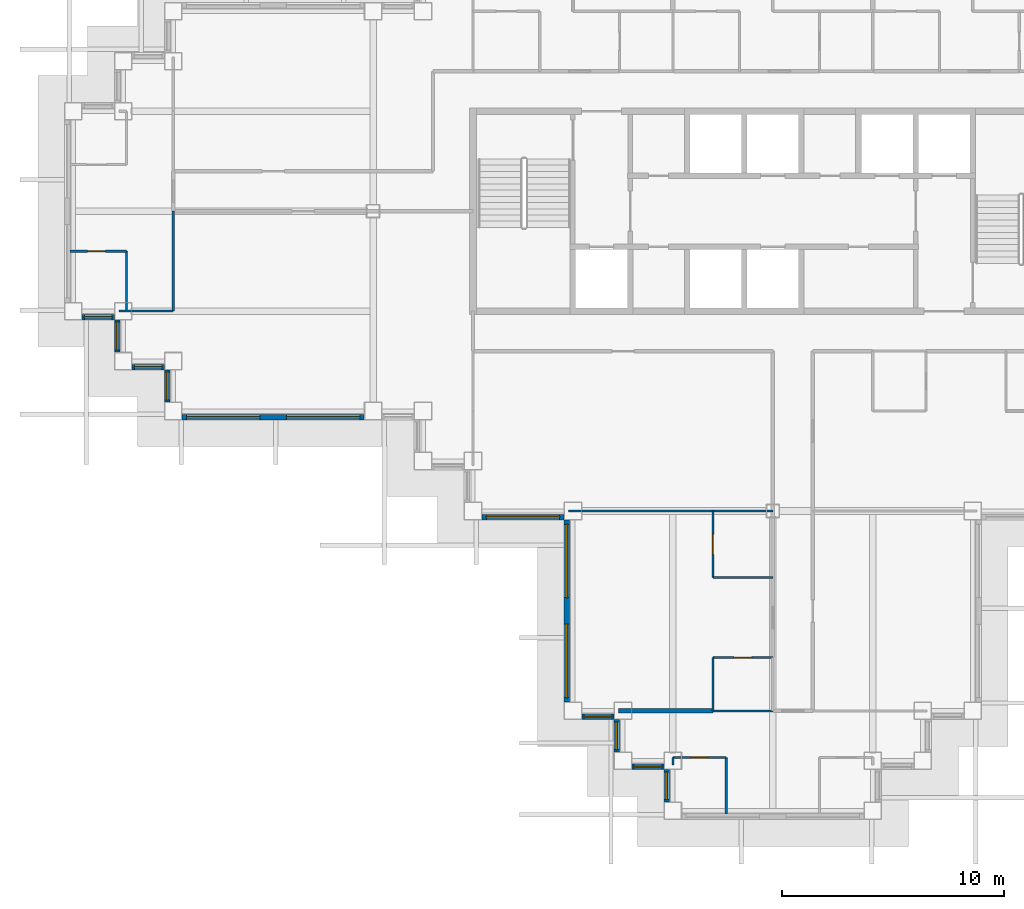
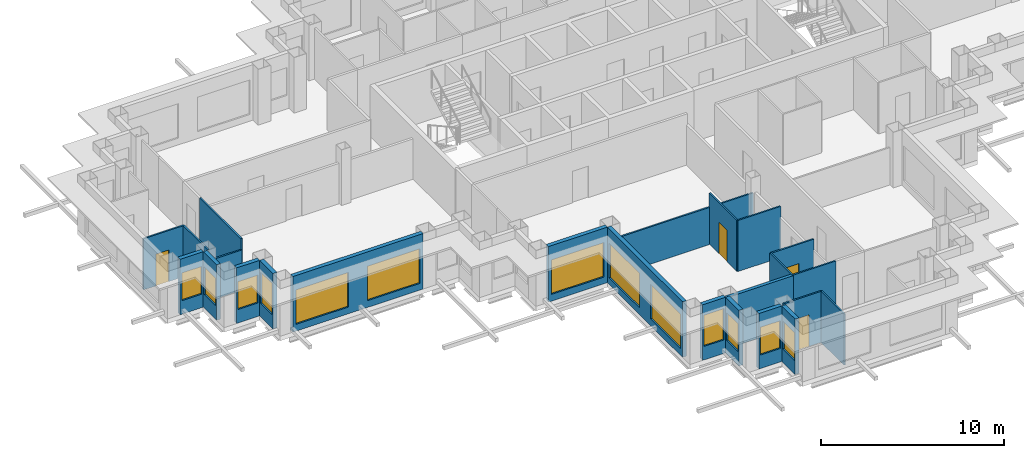
# One storey, part 3 of 14: 25 walls, 13 windows, 4 doors, 17 openings.
"""IFC4 building model written with IfcOpenShell, lengths in metres."""

from ifc_helpers import new_model, si_unit, direction, frame, frame_2d, origin, place, context, subcontext, project, spatial, rectangle, extrude, material, layer, layer_set, type_object, element, fill, save


model = new_model("IFC4")

# Units and contexts
model_context = context("Model", 3, precision=1e-05, world=origin(), true_north=direction((0.0, 1.0)))
body_context = subcontext(model_context, "Body", "Model", "MODEL_VIEW")
ifc_project = project(units=[si_unit("LENGTHUNIT", "METRE"), si_unit("AREAUNIT", "SQUARE_METRE"), si_unit("VOLUMEUNIT", "CUBIC_METRE"), si_unit("PLANEANGLEUNIT", "RADIAN"), si_unit("MASSUNIT", "GRAM", prefix="KILO")], contexts=[model_context])

# Site, building, storey
site_placement = place(None, origin())
site = spatial("IfcSite", under=ifc_project, at=site_placement, CompositionType="ELEMENT")
building_placement = place(site_placement, origin())
building = spatial("IfcBuilding", under=site, at=building_placement, Name="Caravel Reach Hotel and Residences", CompositionType="ELEMENT")
storey_placement = place(building_placement, frame((0.0, 0.0, 161.699951171875)))
storey = spatial("IfcBuildingStorey", under=building, at=storey_placement, Name="L40", CompositionType="ELEMENT", Elevation=161.699951171875)

# Wall, opening, door
ifc_material_1 = material(Name="Gypsum board on steel stud", Category="steel")
ifc_layer_1 = layer(ifc_material_1, 0.10009765625)
ifc_layer_set_1 = layer_set([ifc_layer_1], Name="Bathroom pod wall 100 mm")
wall_type_1 = type_object("IfcWallType", Name="Bathroom pod wall 100 mm", PredefinedType="PARTITIONING", material=ifc_layer_set_1)
wall_1_placement = place(storey_placement, frame((27.0, 2.39990234375, 0.0), z_axis=(0.0, 0.0, 1.0), x_axis=(1.0, 0.0, 0.0)))
wall_1 = element("IfcWall", 1, at=wall_1_placement, inside=storey, type_object=wall_type_1, Name="L40 wall w079", PredefinedType="PARTITIONING", context=body_context, shape_type="SweptSolid", body=[
    extrude(rectangle(XDim=2.39990234375, YDim=0.10009765625, at=frame_2d((1.199951171875, 0.0))), origin(), (0.0, 0.0, 1.0), 3.400146484375),
])
opening_1_placement = place(wall_1_placement, frame((0.800048828125, 0.0, 0.0)))
opening_1 = element("IfcOpeningElement", 2, at=opening_1_placement, cuts=wall_1, Name="Opening D40-047", PredefinedType="OPENING", context=body_context, shape_type="SweptSolid", body=[
    extrude(rectangle(XDim=0.800048828125, YDim=2.10009765625, at=frame_2d((0.39990234375, 1.050048828125))), frame((0.0, 0.06005859375, 0.0), z_axis=(0.0, -1.0, 0.0), x_axis=(1.0, 0.0, 0.0)), (0.0, 0.0, 1.0), 0.1201171875),
])
ifc_material_2 = material(Name="Timber and steel door leaf", Category="steel")
door_type_1 = type_object("IfcDoorType", Name="Bathroom door 800 x 2100", OperationType="SINGLE_SWING_LEFT", PredefinedType="DOOR", material=ifc_material_2)
door_1_placement = place(opening_1_placement, origin())
door_1 = element("IfcDoor", 3, at=door_1_placement, inside=storey, type_object=door_type_1, Name="door D40-047", OperationType="SINGLE_SWING_LEFT", OverallHeight=2.10009765625, OverallWidth=0.800048828125, PredefinedType="DOOR", context=body_context, shape_type="SweptSolid", body=[
    extrude(rectangle(XDim=0.800048828125, YDim=2.10009765625, at=frame_2d((0.39990234375, 1.050048828125))), frame((0.0, 0.02490234375, 0.0), z_axis=(0.0, -1.0, 0.0), x_axis=(1.0, 0.0, 0.0)), (0.0, 0.0, 1.0), 0.050048828125),
])
fill(opening_1, door_1)

wall_2_placement = place(storey_placement, frame((-0.14990234375, 25.199951171875, 0.0), z_axis=(0.0, 0.0, 1.0), x_axis=(1.0, 0.0, 0.0)))
wall_2 = element("IfcWall", 4, at=wall_2_placement, inside=storey, type_object=wall_type_1, Name="L40 wall w081", PredefinedType="PARTITIONING", context=body_context, shape_type="SweptSolid", body=[
    extrude(rectangle(XDim=2.5498046875, YDim=0.10009765625, at=frame_2d((1.27490234375, 0.0))), origin(), (0.0, 0.0, 1.0), 3.400146484375),
])
opening_2_placement = place(wall_2_placement, frame((0.800048828125, 0.0, 0.0)))
opening_2 = element("IfcOpeningElement", 5, at=opening_2_placement, cuts=wall_2, Name="Opening D40-041", PredefinedType="OPENING", context=body_context, shape_type="SweptSolid", body=[
    extrude(rectangle(XDim=0.800048828125, YDim=2.10009765625, at=frame_2d((0.39990234375, 1.050048828125))), frame((0.0, 0.06005859375, 0.0), z_axis=(0.0, -1.0, 0.0), x_axis=(1.0, 0.0, 0.0)), (0.0, 0.0, 1.0), 0.1201171875),
])
door_2_placement = place(opening_2_placement, origin())
door_2 = element("IfcDoor", 6, at=door_2_placement, inside=storey, type_object=door_type_1, Name="door D40-041", OperationType="SINGLE_SWING_RIGHT", OverallHeight=2.10009765625, OverallWidth=0.800048828125, PredefinedType="DOOR", context=body_context, shape_type="SweptSolid", body=[
    extrude(rectangle(XDim=0.800048828125, YDim=2.10009765625, at=frame_2d((0.39990234375, 1.050048828125))), frame((0.0, 0.02490234375, 0.0), z_axis=(0.0, -1.0, 0.0), x_axis=(1.0, 0.0, 0.0)), (0.0, 0.0, 1.0), 0.050048828125),
])
fill(opening_2, door_2)

# Wall
wall_3_placement = place(storey_placement, frame((28.800048828125, 4.5, 0.0), z_axis=(0.0, 0.0, 1.0), x_axis=(1.0, 0.0, 0.0)))
element("IfcWall", 7, at=wall_3_placement, inside=storey, type_object=wall_type_1, Name="L40 wall w089", PredefinedType="PARTITIONING", context=body_context, shape_type="SweptSolid", body=[
    extrude(rectangle(XDim=2.699951171875, YDim=0.10009765625, at=frame_2d((1.35009765625, 0.0))), origin(), (0.0, 0.0, 1.0), 3.400146484375),
])

# Wall, opening, door
wall_4_placement = place(storey_placement, frame((28.800048828125, 6.89990234375, 0.0), z_axis=(0.0, 0.0, 1.0), x_axis=(1.0, 0.0, 0.0)))
wall_4 = element("IfcWall", 8, at=wall_4_placement, inside=storey, type_object=wall_type_1, Name="L40 wall w090", PredefinedType="PARTITIONING", context=body_context, shape_type="SweptSolid", body=[
    extrude(rectangle(XDim=2.699951171875, YDim=0.10009765625, at=frame_2d((1.35009765625, 0.0))), origin(), (0.0, 0.0, 1.0), 3.400146484375),
])
opening_3_placement = place(wall_4_placement, frame((0.949951171875, 0.0, 0.0)))
opening_3 = element("IfcOpeningElement", 9, at=opening_3_placement, cuts=wall_4, Name="Opening D40-037", PredefinedType="OPENING", context=body_context, shape_type="SweptSolid", body=[
    extrude(rectangle(XDim=0.800048828125, YDim=2.10009765625, at=frame_2d((0.39990234375, 1.050048828125))), frame((0.0, 0.06005859375, 0.0), z_axis=(0.0, -1.0, 0.0), x_axis=(1.0, 0.0, 0.0)), (0.0, 0.0, 1.0), 0.1201171875),
])
door_3_placement = place(opening_3_placement, origin())
door_3 = element("IfcDoor", 10, at=door_3_placement, inside=storey, type_object=door_type_1, Name="door D40-037", OperationType="SINGLE_SWING_LEFT", OverallHeight=2.10009765625, OverallWidth=0.800048828125, PredefinedType="DOOR", context=body_context, shape_type="SweptSolid", body=[
    extrude(rectangle(XDim=0.800048828125, YDim=2.10009765625, at=frame_2d((0.39990234375, 1.050048828125))), frame((0.0, 0.02490234375, 0.0), z_axis=(0.0, -1.0, 0.0), x_axis=(1.0, 0.0, 0.0)), (0.0, 0.0, 1.0), 0.050048828125),
])
fill(opening_3, door_3)

# Walls
wall_5_placement = place(storey_placement, frame((2.39990234375, 22.5, 0.0), z_axis=(0.0, 0.0, 1.0), x_axis=(0.0, 1.0, 0.0)))
element("IfcWall", 11, at=wall_5_placement, inside=storey, type_object=wall_type_1, Name="L40 wall w091", PredefinedType="PARTITIONING", context=body_context, shape_type="SweptSolid", body=[
    extrude(rectangle(XDim=2.699951171875, YDim=0.10009765625, at=frame_2d((1.35009765625, 0.0))), origin(), (0.0, 0.0, 1.0), 3.400146484375),
])
wall_6_placement = place(storey_placement, frame((27.0, 2.06005859375, 0.0), z_axis=(0.0, 0.0, 1.0), x_axis=(0.0, 1.0, 0.0)))
element("IfcWall", 12, at=wall_6_placement, inside=storey, type_object=wall_type_1, Name="L40 wall w094", PredefinedType="PARTITIONING", context=body_context, shape_type="SweptSolid", body=[
    extrude(rectangle(XDim=0.33984375, YDim=0.10009765625, at=frame_2d((0.169921875, 0.0))), origin(), (0.0, 0.0, 1.0), 3.400146484375),
])
wall_7_placement = place(storey_placement, frame((28.800048828125, 4.5, 0.0), z_axis=(0.0, 0.0, 1.0), x_axis=(0.0, 1.0, 0.0)))
element("IfcWall", 13, at=wall_7_placement, inside=storey, type_object=wall_type_1, Name="L40 wall w095", PredefinedType="PARTITIONING", context=body_context, shape_type="SweptSolid", body=[
    extrude(rectangle(XDim=2.39990234375, YDim=0.10009765625, at=frame_2d((1.199951171875, 0.0))), origin(), (0.0, 0.0, 1.0), 3.400146484375),
])
wall_8_placement = place(storey_placement, frame((29.39990234375, -0.14990234375, 0.0), z_axis=(0.0, 0.0, 1.0), x_axis=(0.0, 1.0, 0.0)))
element("IfcWall", 14, at=wall_8_placement, inside=storey, type_object=wall_type_1, Name="L40 wall w096", PredefinedType="PARTITIONING", context=body_context, shape_type="SweptSolid", body=[
    extrude(rectangle(XDim=2.5498046875, YDim=0.10009765625, at=frame_2d((1.27490234375, 0.0))), origin(), (0.0, 0.0, 1.0), 3.400146484375),
])

# Wall, opening, window
ifc_material_3 = material(Name="Insulated rainscreen wall, aluminium cladding", Category="aluminium")
ifc_layer_2 = layer(ifc_material_3, 0.25)
ifc_layer_set_2 = layer_set([ifc_layer_2], Name="EW1 Tower rainscreen wall")
wall_type_2 = type_object("IfcWallType", Name="EW1 Tower rainscreen wall", PredefinedType="SOLIDWALL", material=ifc_layer_set_2)
wall_9_placement = place(storey_placement, frame((22.89990234375, 4.22509765625, 0.0), z_axis=(0.0, 0.0, 1.0), x_axis=(1.0, 0.0, 0.0)))
wall_9 = element("IfcWall", 15, at=wall_9_placement, inside=storey, type_object=wall_type_2, Name="External wall L40 S1.1", PredefinedType="SOLIDWALL", context=body_context, shape_type="SweptSolid", body=[
    extrude(rectangle(XDim=1.4501953125, YDim=0.25, at=frame_2d((0.72509765625, 0.0))), origin(), (0.0, 0.0, 1.0), 3.699951171875),
])
opening_4_placement = place(wall_9_placement, frame((0.10009765625, 0.0, 0.89990234375)))
opening_4 = element("IfcOpeningElement", 16, at=opening_4_placement, cuts=wall_9, Name="Opening WN12", PredefinedType="OPENING", context=body_context, shape_type="SweptSolid", body=[
    extrude(rectangle(XDim=1.25, YDim=2.080078125, at=frame_2d((0.625, 1.0400390625))), frame((0.0, 0.135009765625, 0.0), z_axis=(0.0, -1.0, 0.0), x_axis=(1.0, 0.0, 0.0)), (0.0, 0.0, 1.0), 0.27001953125),
])
ifc_material_4 = material(Name="Dark low-e glazing in black aluminium frame", Category="aluminium")
window_type_1 = type_object("IfcWindowType", Name="Residence bedroom window 1250 x 2080", PartitioningType="SINGLE_PANEL", PredefinedType="WINDOW", material=ifc_material_4)
window_1_placement = place(opening_4_placement, origin())
window_1 = element("IfcWindow", 17, at=window_1_placement, inside=storey, type_object=window_type_1, Name="Window L40 S1.1.1", OverallHeight=2.080078125, OverallWidth=1.25, PartitioningType="SINGLE_PANEL", PredefinedType="WINDOW", context=body_context, shape_type="SweptSolid", body=[
    extrude(rectangle(XDim=1.25, YDim=2.080078125, at=frame_2d((0.625, 1.0400390625))), frame((0.0, 0.030029296875, 0.0), z_axis=(0.0, -1.0, 0.0), x_axis=(1.0, 0.0, 0.0)), (0.0, 0.0, 1.0), 0.06005859375),
])
fill(opening_4, window_1)

wall_10_placement = place(storey_placement, frame((24.47509765625, 4.10009765625, 0.0), z_axis=(0.0, 0.0, 1.0), x_axis=(0.0, -1.0, 0.0)))
wall_10 = element("IfcWall", 18, at=wall_10_placement, inside=storey, type_object=wall_type_2, Name="External wall L40 W2.1", PredefinedType="SOLIDWALL", context=body_context, shape_type="SweptSolid", body=[
    extrude(rectangle(XDim=1.4501953125, YDim=0.25, at=frame_2d((0.72509765625, 0.0))), origin(), (0.0, 0.0, 1.0), 3.699951171875),
])
opening_5_placement = place(wall_10_placement, frame((0.10009765625, 0.0, 0.89990234375)))
opening_5 = element("IfcOpeningElement", 19, at=opening_5_placement, cuts=wall_10, Name="Opening WN13", PredefinedType="OPENING", context=body_context, shape_type="SweptSolid", body=[
    extrude(rectangle(XDim=1.25, YDim=1.85009765625, at=frame_2d((0.625, 0.925048828125))), frame((0.0, 0.135009765625, 0.0), z_axis=(0.0, -1.0, 0.0), x_axis=(1.0, 0.0, 0.0)), (0.0, 0.0, 1.0), 0.27001953125),
])
ifc_material_5 = material(Name="Dark low-e glazing in black aluminium frame", Category="aluminium")
window_type_2 = type_object("IfcWindowType", Name="Residence bedroom window 1250 x 1850", PartitioningType="SINGLE_PANEL", PredefinedType="WINDOW", material=ifc_material_5)
window_2_placement = place(opening_5_placement, origin())
window_2 = element("IfcWindow", 20, at=window_2_placement, inside=storey, type_object=window_type_2, Name="Window L40 W2.1.1", OverallHeight=1.85009765625, OverallWidth=1.25, PartitioningType="SINGLE_PANEL", PredefinedType="WINDOW", context=body_context, shape_type="SweptSolid", body=[
    extrude(rectangle(XDim=1.25, YDim=1.85009765625, at=frame_2d((0.625, 0.925048828125))), frame((0.0, 0.030029296875, 0.0), z_axis=(0.0, -1.0, 0.0), x_axis=(1.0, 0.0, 0.0)), (0.0, 0.0, 1.0), 0.06005859375),
])
fill(opening_5, window_2)

wall_11_placement = place(storey_placement, frame((25.14990234375, 1.97509765625, 0.0), z_axis=(0.0, 0.0, 1.0), x_axis=(1.0, 0.0, 0.0)))
wall_11 = element("IfcWall", 21, at=wall_11_placement, inside=storey, type_object=wall_type_2, Name="External wall L40 S3.1", PredefinedType="SOLIDWALL", context=body_context, shape_type="SweptSolid", body=[
    extrude(rectangle(XDim=1.4501953125, YDim=0.25, at=frame_2d((0.72509765625, 0.0))), origin(), (0.0, 0.0, 1.0), 3.699951171875),
])
opening_6_placement = place(wall_11_placement, frame((0.10009765625, 0.0, 0.89990234375)))
opening_6 = element("IfcOpeningElement", 22, at=opening_6_placement, cuts=wall_11, Name="Opening WN13", PredefinedType="OPENING", context=body_context, shape_type="SweptSolid", body=[
    extrude(rectangle(XDim=1.25, YDim=1.85009765625, at=frame_2d((0.625, 0.925048828125))), frame((0.0, 0.135009765625, 0.0), z_axis=(0.0, -1.0, 0.0), x_axis=(1.0, 0.0, 0.0)), (0.0, 0.0, 1.0), 0.27001953125),
])
window_3_placement = place(opening_6_placement, origin())
window_3 = element("IfcWindow", 23, at=window_3_placement, inside=storey, type_object=window_type_2, Name="Window L40 S3.1.1", OverallHeight=1.85009765625, OverallWidth=1.25, PartitioningType="SINGLE_PANEL", PredefinedType="WINDOW", context=body_context, shape_type="SweptSolid", body=[
    extrude(rectangle(XDim=1.25, YDim=1.85009765625, at=frame_2d((0.625, 0.925048828125))), frame((0.0, 0.030029296875, 0.0), z_axis=(0.0, -1.0, 0.0), x_axis=(1.0, 0.0, 0.0)), (0.0, 0.0, 1.0), 0.06005859375),
])
fill(opening_6, window_3)

wall_12_placement = place(storey_placement, frame((26.72509765625, 1.85009765625, 0.0), z_axis=(0.0, 0.0, 1.0), x_axis=(0.0, -1.0, 0.0)))
wall_12 = element("IfcWall", 24, at=wall_12_placement, inside=storey, type_object=wall_type_2, Name="External wall L40 W4.1", PredefinedType="SOLIDWALL", context=body_context, shape_type="SweptSolid", body=[
    extrude(rectangle(XDim=1.4501953125, YDim=0.25, at=frame_2d((0.72509765625, 0.0))), origin(), (0.0, 0.0, 1.0), 3.699951171875),
])
opening_7_placement = place(wall_12_placement, frame((0.10009765625, 0.0, 0.89990234375)))
opening_7 = element("IfcOpeningElement", 25, at=opening_7_placement, cuts=wall_12, Name="Opening WN13", PredefinedType="OPENING", context=body_context, shape_type="SweptSolid", body=[
    extrude(rectangle(XDim=1.25, YDim=1.85009765625, at=frame_2d((0.625, 0.925048828125))), frame((0.0, 0.135009765625, 0.0), z_axis=(0.0, -1.0, 0.0), x_axis=(1.0, 0.0, 0.0)), (0.0, 0.0, 1.0), 0.27001953125),
])
window_4_placement = place(opening_7_placement, origin())
window_4 = element("IfcWindow", 26, at=window_4_placement, inside=storey, type_object=window_type_2, Name="Window L40 W4.1.1", OverallHeight=1.85009765625, OverallWidth=1.25, PartitioningType="SINGLE_PANEL", PredefinedType="WINDOW", context=body_context, shape_type="SweptSolid", body=[
    extrude(rectangle(XDim=1.25, YDim=1.85009765625, at=frame_2d((0.625, 0.925048828125))), frame((0.0, 0.030029296875, 0.0), z_axis=(0.0, -1.0, 0.0), x_axis=(1.0, 0.0, 0.0)), (0.0, 0.0, 1.0), 0.06005859375),
])
fill(opening_7, window_4)

wall_13_placement = place(storey_placement, frame((0.39990234375, 22.22509765625, 0.0), z_axis=(0.0, 0.0, 1.0), x_axis=(1.0, 0.0, 0.0)))
wall_13 = element("IfcWall", 27, at=wall_13_placement, inside=storey, type_object=wall_type_2, Name="External wall L40 S39.1", PredefinedType="SOLIDWALL", context=body_context, shape_type="SweptSolid", body=[
    extrude(rectangle(XDim=1.4501953125, YDim=0.25, at=frame_2d((0.72509765625, 0.0))), origin(), (0.0, 0.0, 1.0), 3.699951171875),
])
opening_8_placement = place(wall_13_placement, frame((0.10009765625, 0.0, 0.89990234375)))
opening_8 = element("IfcOpeningElement", 28, at=opening_8_placement, cuts=wall_13, Name="Opening WN13", PredefinedType="OPENING", context=body_context, shape_type="SweptSolid", body=[
    extrude(rectangle(XDim=1.25, YDim=1.85009765625, at=frame_2d((0.625, 0.925048828125))), frame((0.0, 0.135009765625, 0.0), z_axis=(0.0, -1.0, 0.0), x_axis=(1.0, 0.0, 0.0)), (0.0, 0.0, 1.0), 0.27001953125),
])
window_5_placement = place(opening_8_placement, origin())
window_5 = element("IfcWindow", 29, at=window_5_placement, inside=storey, type_object=window_type_2, Name="Window L40 S39.1.1", OverallHeight=1.85009765625, OverallWidth=1.25, PartitioningType="SINGLE_PANEL", PredefinedType="WINDOW", context=body_context, shape_type="SweptSolid", body=[
    extrude(rectangle(XDim=1.25, YDim=1.85009765625, at=frame_2d((0.625, 0.925048828125))), frame((0.0, 0.030029296875, 0.0), z_axis=(0.0, -1.0, 0.0), x_axis=(1.0, 0.0, 0.0)), (0.0, 0.0, 1.0), 0.06005859375),
])
fill(opening_8, window_5)

wall_14_placement = place(storey_placement, frame((1.97509765625, 22.10009765625, 0.0), z_axis=(0.0, 0.0, 1.0), x_axis=(0.0, -1.0, 0.0)))
wall_14 = element("IfcWall", 30, at=wall_14_placement, inside=storey, type_object=wall_type_2, Name="External wall L40 W40.1", PredefinedType="SOLIDWALL", context=body_context, shape_type="SweptSolid", body=[
    extrude(rectangle(XDim=1.4501953125, YDim=0.25, at=frame_2d((0.72509765625, 0.0))), origin(), (0.0, 0.0, 1.0), 3.699951171875),
])
opening_9_placement = place(wall_14_placement, frame((0.10009765625, 0.0, 0.89990234375)))
opening_9 = element("IfcOpeningElement", 31, at=opening_9_placement, cuts=wall_14, Name="Opening WN13", PredefinedType="OPENING", context=body_context, shape_type="SweptSolid", body=[
    extrude(rectangle(XDim=1.25, YDim=1.85009765625, at=frame_2d((0.625, 0.925048828125))), frame((0.0, 0.135009765625, 0.0), z_axis=(0.0, -1.0, 0.0), x_axis=(1.0, 0.0, 0.0)), (0.0, 0.0, 1.0), 0.27001953125),
])
window_6_placement = place(opening_9_placement, origin())
window_6 = element("IfcWindow", 32, at=window_6_placement, inside=storey, type_object=window_type_2, Name="Window L40 W40.1.1", OverallHeight=1.85009765625, OverallWidth=1.25, PartitioningType="SINGLE_PANEL", PredefinedType="WINDOW", context=body_context, shape_type="SweptSolid", body=[
    extrude(rectangle(XDim=1.25, YDim=1.85009765625, at=frame_2d((0.625, 0.925048828125))), frame((0.0, 0.030029296875, 0.0), z_axis=(0.0, -1.0, 0.0), x_axis=(1.0, 0.0, 0.0)), (0.0, 0.0, 1.0), 0.06005859375),
])
fill(opening_9, window_6)

wall_15_placement = place(storey_placement, frame((2.64990234375, 19.97509765625, 0.0), z_axis=(0.0, 0.0, 1.0), x_axis=(1.0, 0.0, 0.0)))
wall_15 = element("IfcWall", 33, at=wall_15_placement, inside=storey, type_object=wall_type_2, Name="External wall L40 S41.1", PredefinedType="SOLIDWALL", context=body_context, shape_type="SweptSolid", body=[
    extrude(rectangle(XDim=1.4501953125, YDim=0.25, at=frame_2d((0.72509765625, 0.0))), origin(), (0.0, 0.0, 1.0), 3.699951171875),
])
opening_10_placement = place(wall_15_placement, frame((0.10009765625, 0.0, 0.89990234375)))
opening_10 = element("IfcOpeningElement", 34, at=opening_10_placement, cuts=wall_15, Name="Opening WN13", PredefinedType="OPENING", context=body_context, shape_type="SweptSolid", body=[
    extrude(rectangle(XDim=1.25, YDim=1.85009765625, at=frame_2d((0.625, 0.925048828125))), frame((0.0, 0.135009765625, 0.0), z_axis=(0.0, -1.0, 0.0), x_axis=(1.0, 0.0, 0.0)), (0.0, 0.0, 1.0), 0.27001953125),
])
window_7_placement = place(opening_10_placement, origin())
window_7 = element("IfcWindow", 35, at=window_7_placement, inside=storey, type_object=window_type_2, Name="Window L40 S41.1.1", OverallHeight=1.85009765625, OverallWidth=1.25, PartitioningType="SINGLE_PANEL", PredefinedType="WINDOW", context=body_context, shape_type="SweptSolid", body=[
    extrude(rectangle(XDim=1.25, YDim=1.85009765625, at=frame_2d((0.625, 0.925048828125))), frame((0.0, 0.030029296875, 0.0), z_axis=(0.0, -1.0, 0.0), x_axis=(1.0, 0.0, 0.0)), (0.0, 0.0, 1.0), 0.06005859375),
])
fill(opening_10, window_7)

wall_16_placement = place(storey_placement, frame((4.22509765625, 19.85009765625, 0.0), z_axis=(0.0, 0.0, 1.0), x_axis=(0.0, -1.0, 0.0)))
wall_16 = element("IfcWall", 36, at=wall_16_placement, inside=storey, type_object=wall_type_2, Name="External wall L40 W42.1", PredefinedType="SOLIDWALL", context=body_context, shape_type="SweptSolid", body=[
    extrude(rectangle(XDim=1.4501953125, YDim=0.25, at=frame_2d((0.72509765625, 0.0))), origin(), (0.0, 0.0, 1.0), 3.699951171875),
])
opening_11_placement = place(wall_16_placement, frame((0.10009765625, 0.0, 0.89990234375)))
opening_11 = element("IfcOpeningElement", 37, at=opening_11_placement, cuts=wall_16, Name="Opening WN12", PredefinedType="OPENING", context=body_context, shape_type="SweptSolid", body=[
    extrude(rectangle(XDim=1.25, YDim=2.080078125, at=frame_2d((0.625, 1.0400390625))), frame((0.0, 0.135009765625, 0.0), z_axis=(0.0, -1.0, 0.0), x_axis=(1.0, 0.0, 0.0)), (0.0, 0.0, 1.0), 0.27001953125),
])
window_8_placement = place(opening_11_placement, origin())
window_8 = element("IfcWindow", 38, at=window_8_placement, inside=storey, type_object=window_type_1, Name="Window L40 W42.1.1", OverallHeight=2.080078125, OverallWidth=1.25, PartitioningType="SINGLE_PANEL", PredefinedType="WINDOW", context=body_context, shape_type="SweptSolid", body=[
    extrude(rectangle(XDim=1.25, YDim=2.080078125, at=frame_2d((0.625, 1.0400390625))), frame((0.0, 0.030029296875, 0.0), z_axis=(0.0, -1.0, 0.0), x_axis=(1.0, 0.0, 0.0)), (0.0, 0.0, 1.0), 0.06005859375),
])
fill(opening_11, window_8)

# Wall, openings, windows
wall_17_placement = place(storey_placement, frame((4.89990234375, 17.72509765625, 0.0), z_axis=(0.0, 0.0, 1.0), x_axis=(1.0, 0.0, 0.0)))
wall_17 = element("IfcWall", 39, at=wall_17_placement, inside=storey, type_object=wall_type_2, Name="External wall L40 S43.1", PredefinedType="SOLIDWALL", context=body_context, shape_type="SweptSolid", body=[
    extrude(rectangle(XDim=8.2001953125, YDim=0.25, at=frame_2d((4.10009765625, 0.0))), origin(), (0.0, 0.0, 1.0), 3.699951171875),
])
opening_12_placement = place(wall_17_placement, frame((0.199951171875, 0.0, 0.449951171875)))
opening_12 = element("IfcOpeningElement", 40, at=opening_12_placement, cuts=wall_17, Name="Opening WN15", PredefinedType="OPENING", context=body_context, shape_type="SweptSolid", body=[
    extrude(rectangle(XDim=3.300048828125, YDim=2.300048828125, at=frame_2d((1.64990234375, 1.14990234375))), frame((0.0, 0.135009765625, 0.0), z_axis=(0.0, -1.0, 0.0), x_axis=(1.0, 0.0, 0.0)), (0.0, 0.0, 1.0), 0.27001953125),
])
opening_13_placement = place(wall_17_placement, frame((4.699951171875, 0.0, 0.449951171875)))
opening_13 = element("IfcOpeningElement", 41, at=opening_13_placement, cuts=wall_17, Name="Opening WN15", PredefinedType="OPENING", context=body_context, shape_type="SweptSolid", body=[
    extrude(rectangle(XDim=3.300048828125, YDim=2.300048828125, at=frame_2d((1.64990234375, 1.14990234375))), frame((0.0, 0.135009765625, 0.0), z_axis=(0.0, -1.0, 0.0), x_axis=(1.0, 0.0, 0.0)), (0.0, 0.0, 1.0), 0.27001953125),
])
ifc_material_6 = material(Name="Dark low-e glazing in black aluminium frame", Category="aluminium")
window_type_3 = type_object("IfcWindowType", Name="Residence living window 3300 x 2300", PartitioningType="SINGLE_PANEL", PredefinedType="WINDOW", material=ifc_material_6)
window_9_placement = place(opening_12_placement, origin())
window_9 = element("IfcWindow", 42, at=window_9_placement, inside=storey, type_object=window_type_3, Name="Window L40 S43.1.1", OverallHeight=2.300048828125, OverallWidth=3.300048828125, PartitioningType="SINGLE_PANEL", PredefinedType="WINDOW", context=body_context, shape_type="SweptSolid", body=[
    extrude(rectangle(XDim=3.300048828125, YDim=2.300048828125, at=frame_2d((1.64990234375, 1.14990234375))), frame((0.0, 0.030029296875, 0.0), z_axis=(0.0, -1.0, 0.0), x_axis=(1.0, 0.0, 0.0)), (0.0, 0.0, 1.0), 0.06005859375),
])
fill(opening_12, window_9)
window_10_placement = place(opening_13_placement, origin())
window_10 = element("IfcWindow", 43, at=window_10_placement, inside=storey, type_object=window_type_3, Name="Window L40 S43.1.2", OverallHeight=2.300048828125, OverallWidth=3.300048828125, PartitioningType="SINGLE_PANEL", PredefinedType="WINDOW", context=body_context, shape_type="SweptSolid", body=[
    extrude(rectangle(XDim=3.300048828125, YDim=2.300048828125, at=frame_2d((1.64990234375, 1.14990234375))), frame((0.0, 0.030029296875, 0.0), z_axis=(0.0, -1.0, 0.0), x_axis=(1.0, 0.0, 0.0)), (0.0, 0.0, 1.0), 0.06005859375),
])
fill(opening_13, window_10)

# Wall, opening, window
wall_18_placement = place(storey_placement, frame((18.39990234375, 13.22509765625, 0.0), z_axis=(0.0, 0.0, 1.0), x_axis=(1.0, 0.0, 0.0)))
wall_18 = element("IfcWall", 44, at=wall_18_placement, inside=storey, type_object=wall_type_2, Name="External wall L40 S47.1", PredefinedType="SOLIDWALL", context=body_context, shape_type="SweptSolid", body=[
    extrude(rectangle(XDim=3.7001953125, YDim=0.25, at=frame_2d((1.85009765625, 0.0))), origin(), (0.0, 0.0, 1.0), 3.699951171875),
])
opening_14_placement = place(wall_18_placement, frame((0.199951171875, 0.0, 0.449951171875)))
opening_14 = element("IfcOpeningElement", 45, at=opening_14_placement, cuts=wall_18, Name="Opening WN15", PredefinedType="OPENING", context=body_context, shape_type="SweptSolid", body=[
    extrude(rectangle(XDim=3.300048828125, YDim=2.300048828125, at=frame_2d((1.64990234375, 1.14990234375))), frame((0.0, 0.135009765625, 0.0), z_axis=(0.0, -1.0, 0.0), x_axis=(1.0, 0.0, 0.0)), (0.0, 0.0, 1.0), 0.27001953125),
])
window_11_placement = place(opening_14_placement, origin())
window_11 = element("IfcWindow", 46, at=window_11_placement, inside=storey, type_object=window_type_3, Name="Window L40 S47.1.1", OverallHeight=2.300048828125, OverallWidth=3.300048828125, PartitioningType="SINGLE_PANEL", PredefinedType="WINDOW", context=body_context, shape_type="SweptSolid", body=[
    extrude(rectangle(XDim=3.300048828125, YDim=2.300048828125, at=frame_2d((1.64990234375, 1.14990234375))), frame((0.0, 0.030029296875, 0.0), z_axis=(0.0, -1.0, 0.0), x_axis=(1.0, 0.0, 0.0)), (0.0, 0.0, 1.0), 0.06005859375),
])
fill(opening_14, window_11)

# Wall, openings, windows
wall_19_placement = place(storey_placement, frame((22.22509765625, 13.10009765625, 0.0), z_axis=(0.0, 0.0, 1.0), x_axis=(0.0, -1.0, 0.0)))
wall_19 = element("IfcWall", 47, at=wall_19_placement, inside=storey, type_object=wall_type_2, Name="External wall L40 W48.1", PredefinedType="SOLIDWALL", context=body_context, shape_type="SweptSolid", body=[
    extrude(rectangle(XDim=8.2001953125, YDim=0.25, at=frame_2d((4.10009765625, 0.0))), origin(), (0.0, 0.0, 1.0), 3.699951171875),
])
opening_15_placement = place(wall_19_placement, frame((0.199951171875, 0.0, 0.449951171875)))
opening_15 = element("IfcOpeningElement", 48, at=opening_15_placement, cuts=wall_19, Name="Opening WN15", PredefinedType="OPENING", context=body_context, shape_type="SweptSolid", body=[
    extrude(rectangle(XDim=3.300048828125, YDim=2.300048828125, at=frame_2d((1.64990234375, 1.14990234375))), frame((0.0, 0.135009765625, 0.0), z_axis=(0.0, -1.0, 0.0), x_axis=(1.0, 0.0, 0.0)), (0.0, 0.0, 1.0), 0.27001953125),
])
opening_16_placement = place(wall_19_placement, frame((4.699951171875, 0.0, 0.449951171875)))
opening_16 = element("IfcOpeningElement", 49, at=opening_16_placement, cuts=wall_19, Name="Opening WN15", PredefinedType="OPENING", context=body_context, shape_type="SweptSolid", body=[
    extrude(rectangle(XDim=3.300048828125, YDim=2.300048828125, at=frame_2d((1.64990234375, 1.14990234375))), frame((0.0, 0.135009765625, 0.0), z_axis=(0.0, -1.0, 0.0), x_axis=(1.0, 0.0, 0.0)), (0.0, 0.0, 1.0), 0.27001953125),
])
window_12_placement = place(opening_15_placement, origin())
window_12 = element("IfcWindow", 50, at=window_12_placement, inside=storey, type_object=window_type_3, Name="Window L40 W48.1.1", OverallHeight=2.300048828125, OverallWidth=3.300048828125, PartitioningType="SINGLE_PANEL", PredefinedType="WINDOW", context=body_context, shape_type="SweptSolid", body=[
    extrude(rectangle(XDim=3.300048828125, YDim=2.300048828125, at=frame_2d((1.64990234375, 1.14990234375))), frame((0.0, 0.030029296875, 0.0), z_axis=(0.0, -1.0, 0.0), x_axis=(1.0, 0.0, 0.0)), (0.0, 0.0, 1.0), 0.06005859375),
])
fill(opening_15, window_12)
window_13_placement = place(opening_16_placement, origin())
window_13 = element("IfcWindow", 51, at=window_13_placement, inside=storey, type_object=window_type_3, Name="Window L40 W48.1.2", OverallHeight=2.300048828125, OverallWidth=3.300048828125, PartitioningType="SINGLE_PANEL", PredefinedType="WINDOW", context=body_context, shape_type="SweptSolid", body=[
    extrude(rectangle(XDim=3.300048828125, YDim=2.300048828125, at=frame_2d((1.64990234375, 1.14990234375))), frame((0.0, 0.030029296875, 0.0), z_axis=(0.0, -1.0, 0.0), x_axis=(1.0, 0.0, 0.0)), (0.0, 0.0, 1.0), 0.06005859375),
])
fill(opening_16, window_13)

# Walls
ifc_material_7 = material(Name="Gypsum board on steel stud", Category="steel")
ifc_layer_3 = layer(ifc_material_7, 0.10009765625)
ifc_layer_set_3 = layer_set([ifc_layer_3], Name="Partition 100 mm")
wall_type_3 = type_object("IfcWallType", Name="Partition 100 mm", PredefinedType="PARTITIONING", material=ifc_layer_set_3)
wall_20_placement = place(storey_placement, frame((28.800048828125, 10.5, 0.0), z_axis=(0.0, 0.0, 1.0), x_axis=(1.0, 0.0, 0.0)))
element("IfcWall", 52, at=wall_20_placement, inside=storey, type_object=wall_type_3, Name="L40 wall w031", PredefinedType="PARTITIONING", context=body_context, shape_type="SweptSolid", body=[
    extrude(rectangle(XDim=2.699951171875, YDim=0.10009765625, at=frame_2d((1.35009765625, 0.0))), origin(), (0.0, 0.0, 1.0), 3.400146484375),
])
wall_21_placement = place(storey_placement, frame((22.31005859375, 13.5, 0.0), z_axis=(0.0, 0.0, 1.0), x_axis=(1.0, 0.0, 0.0)))
element("IfcWall", 53, at=wall_21_placement, inside=storey, type_object=wall_type_3, Name="L40 wall w034", PredefinedType="PARTITIONING", context=body_context, shape_type="SweptSolid", body=[
    extrude(rectangle(XDim=9.18994140625, YDim=0.10009765625, at=frame_2d((4.594970703125, 0.0))), origin(), (0.0, 0.0, 1.0), 2.47998046875),
])
wall_22_placement = place(storey_placement, frame((2.06005859375, 22.5, 0.0), z_axis=(0.0, 0.0, 1.0), x_axis=(1.0, 0.0, 0.0)))
element("IfcWall", 54, at=wall_22_placement, inside=storey, type_object=wall_type_3, Name="L40 wall w039", PredefinedType="PARTITIONING", context=body_context, shape_type="SweptSolid", body=[
    extrude(rectangle(XDim=2.43896484375, YDim=0.10009765625, at=frame_2d((1.219482421875, 0.0))), origin(), (0.0, 0.0, 1.0), 2.679931640625),
])

# Wall, opening, door
wall_23_placement = place(storey_placement, frame((28.800048828125, 10.5, 0.0), z_axis=(0.0, 0.0, 1.0), x_axis=(0.0, 1.0, 0.0)))
wall_23 = element("IfcWall", 55, at=wall_23_placement, inside=storey, type_object=wall_type_3, Name="L40 wall w058", PredefinedType="PARTITIONING", context=body_context, shape_type="SweptSolid", body=[
    extrude(rectangle(XDim=3.0, YDim=0.10009765625, at=frame_2d((1.5, 0.0))), origin(), (0.0, 0.0, 1.0), 3.400146484375),
])
opening_17_placement = place(wall_23_placement, frame((1.050048828125, 0.0, 0.0)))
opening_17 = element("IfcOpeningElement", 56, at=opening_17_placement, cuts=wall_23, Name="Opening D40-038", PredefinedType="OPENING", context=body_context, shape_type="SweptSolid", body=[
    extrude(rectangle(XDim=0.89990234375, YDim=2.10009765625, at=frame_2d((0.449951171875, 1.050048828125))), frame((0.0, 0.06005859375, 0.0), z_axis=(0.0, -1.0, 0.0), x_axis=(1.0, 0.0, 0.0)), (0.0, 0.0, 1.0), 0.1201171875),
])
ifc_material_8 = material(Name="Timber and steel door leaf", Category="steel")
door_type_2 = type_object("IfcDoorType", Name="Door 900 x 2100 timber", OperationType="SINGLE_SWING_LEFT", PredefinedType="DOOR", material=ifc_material_8)
door_4_placement = place(opening_17_placement, origin())
door_4 = element("IfcDoor", 57, at=door_4_placement, inside=storey, type_object=door_type_2, Name="door D40-038", OperationType="SINGLE_SWING_LEFT", OverallHeight=2.10009765625, OverallWidth=0.89990234375, PredefinedType="DOOR", context=body_context, shape_type="SweptSolid", body=[
    extrude(rectangle(XDim=0.89990234375, YDim=2.10009765625, at=frame_2d((0.449951171875, 1.050048828125))), frame((0.0, 0.02490234375, 0.0), z_axis=(0.0, -1.0, 0.0), x_axis=(1.0, 0.0, 0.0)), (0.0, 0.0, 1.0), 0.050048828125),
])
fill(opening_17, door_4)

# Walls
wall_24_placement = place(storey_placement, frame((4.5, 22.5, 0.0), z_axis=(0.0, 0.0, 1.0), x_axis=(0.0, 1.0, 0.0)))
element("IfcWall", 58, at=wall_24_placement, inside=storey, type_object=wall_type_3, Name="L40 wall w066", PredefinedType="PARTITIONING", context=body_context, shape_type="SweptSolid", body=[
    extrude(rectangle(XDim=4.5, YDim=0.10009765625, at=frame_2d((2.25, 0.0))), origin(), (0.0, 0.0, 1.0), 3.400146484375),
])
ifc_material_9 = material(Name="Autoclaved aerated block wall")
ifc_layer_4 = layer(ifc_material_9, 0.199951171875)
ifc_layer_set_4 = layer_set([ifc_layer_4], Name="Party wall 200 mm EI 60")
wall_type_4 = type_object("IfcWallType", Name="Party wall 200 mm EI 60", PredefinedType="PARTITIONING", material=ifc_layer_set_4)
wall_25_placement = place(storey_placement, frame((24.56005859375, 4.5, 0.0), z_axis=(0.0, 0.0, 1.0), x_axis=(1.0, 0.0, 0.0)))
element("IfcWall", 59, at=wall_25_placement, inside=storey, type_object=wall_type_4, Name="L40 wall w075", PredefinedType="PARTITIONING", context=body_context, shape_type="SweptSolid", body=[
    extrude(rectangle(XDim=4.239990234375, YDim=0.199951171875, at=frame_2d((2.1201171875, 0.0))), origin(), (0.0, 0.0, 1.0), 3.400146484375),
])

save(model, "model.ifc")
